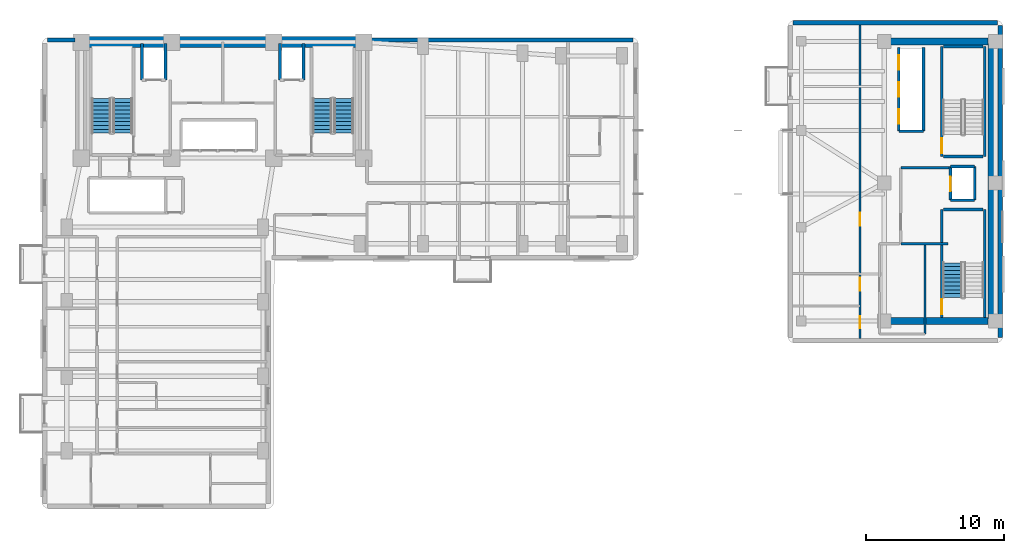
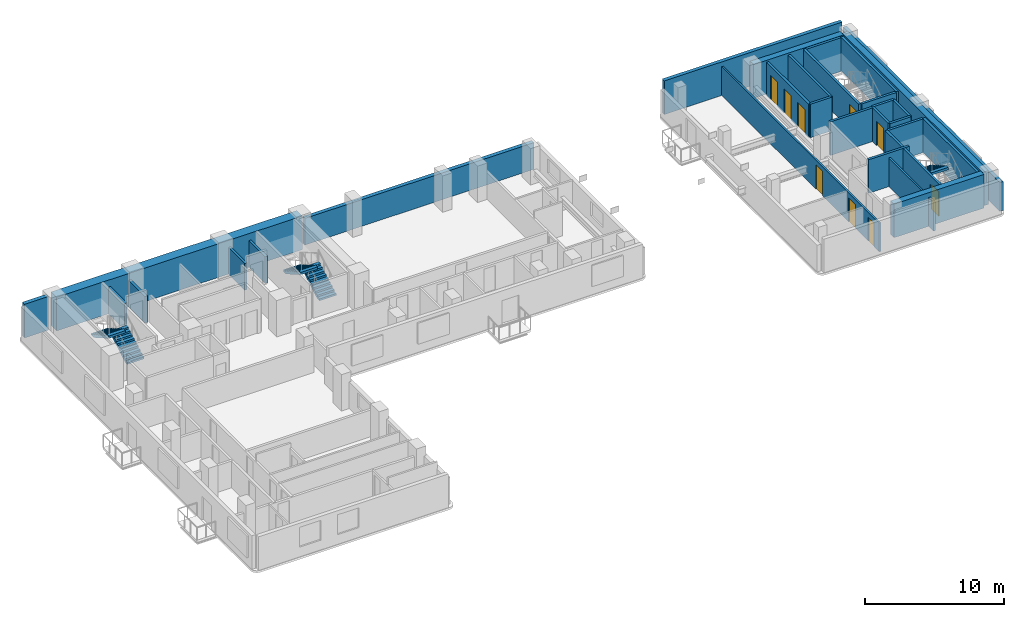
# One storey, part 7 of 11: 30 walls, 9 doors, 5 stair flights, 9 openings, 3 elements without a shape of their own.
"""IFC4 building model written with IfcOpenShell, lengths in metres."""

from ifc_helpers import new_model, si_unit, direction, frame, frame_2d, origin, place, context, subcontext, project, spatial, polyline, rectangle, outline, extrude, material, layer, layer_set, type_object, element, fill, aggregate, save


model = new_model("IFC4")

# Units and contexts
model_context = context("Model", 3, precision=1e-05, world=origin(), true_north=direction((0.0, 1.0)))
body_context = subcontext(model_context, "Body", "Model", "MODEL_VIEW")
ifc_project = project(units=[si_unit("LENGTHUNIT", "METRE"), si_unit("AREAUNIT", "SQUARE_METRE"), si_unit("VOLUMEUNIT", "CUBIC_METRE"), si_unit("PLANEANGLEUNIT", "RADIAN"), si_unit("MASSUNIT", "GRAM", prefix="KILO")], contexts=[model_context])

# Site, building, storey
site_placement = place(None, origin())
site = spatial("IfcSite", under=ifc_project, at=site_placement, CompositionType="ELEMENT")
building_placement = place(site_placement, origin())
building = spatial("IfcBuilding", under=site, at=building_placement, Name="Kuzgunbayir Cultural Tower", CompositionType="ELEMENT")
storey_placement = place(building_placement, frame((0.0, 0.0, 99.39990234375)))
storey = spatial("IfcBuildingStorey", under=building, at=storey_placement, Name="L28", CompositionType="ELEMENT", Elevation=99.39990234375)

# Walls
ifc_material_1 = material(Name="Concrete C60/75", Category="concrete")
ifc_layer_1 = layer(ifc_material_1, 0.800048828125)
ifc_layer_set_1 = layer_set([ifc_layer_1], Name="Concrete C60/75")
wall_type_1 = type_object("IfcWallType", Name="WAL-CORE-800", PredefinedType="SHEAR", material=ifc_layer_set_1)
wall_1_placement = place(storey_placement, frame((6.449951171875, 42.199951171875, 0.0), z_axis=(0.0, 0.0, 1.0), x_axis=(1.0, 0.0, 0.0)))
element("IfcWall", 1, at=wall_1_placement, inside=storey, type_object=wall_type_1, Name="L28 T1 Core North Shear Wall", PredefinedType="SHEAR", context=body_context, shape_type="SweptSolid", body=[
    extrude(rectangle(XDim=20.449951171875, YDim=0.800048828125, at=frame_2d((10.22509765625, 0.0))), origin(), (0.0, 0.0, 1.0), 2.960205078125),
])
ifc_material_2 = material(Name="Anatolian Cream Limestone", Category="masonry")
ifc_layer_2 = layer(ifc_material_2, 0.300048828125)
ifc_layer_set_2 = layer_set([ifc_layer_2], Name="Anatolian Cream Limestone")
wall_type_2 = type_object("IfcWallType", Name="WAL-EXT-STONE-300", PredefinedType="STANDARD", material=ifc_layer_set_2)
wall_2_placement = place(storey_placement, frame((73.0, 20.800048828125, 0.0), z_axis=(0.0, 0.0, 1.0), x_axis=(0.0, 1.0, 0.0)))
element("IfcWall", 2, at=wall_2_placement, inside=storey, type_object=wall_type_2, Name="L28 Companion East Limestone Wall", PredefinedType="STANDARD", context=body_context, shape_type="SweptSolid", body=[
    extrude(rectangle(XDim=22.599853515625, YDim=0.300048828125, at=frame_2d((11.2998046875, 0.0))), origin(), (0.0, 0.0, 1.0), 2.5400390625),
])
wall_3_placement = place(storey_placement, frame((72.800048828125, 43.60009765625, 0.0), z_axis=(0.0, 0.0, 1.0), x_axis=(-1.0, 0.0, 0.0)))
element("IfcWall", 3, at=wall_3_placement, inside=storey, type_object=wall_type_2, Name="L28 Companion North Limestone Wall", PredefinedType="STANDARD", context=body_context, shape_type="SweptSolid", body=[
    extrude(rectangle(XDim=14.800048828125, YDim=0.300048828125, at=frame_2d((7.39990234375, 0.0))), origin(), (0.0, 0.0, 1.0), 2.960205078125),
])
ifc_material_3 = material(Name="Travertine Buff Ashlar", Category="masonry")
ifc_layer_3 = layer(ifc_material_3, 0.320068359375)
ifc_layer_set_3 = layer_set([ifc_layer_3], Name="Travertine Buff Ashlar")
wall_type_3 = type_object("IfcWallType", Name="WAL-EXT-STONE-320", PredefinedType="STANDARD", material=ifc_layer_set_3)
wall_4_placement = place(storey_placement, frame((46.39990234375, 42.35009765625, 0.0), z_axis=(0.0, 0.0, 1.0), x_axis=(-1.0, 0.0, 0.0)))
element("IfcWall", 4, at=wall_4_placement, inside=storey, type_object=wall_type_3, Name="L28 North Wing B Limestone Wall", PredefinedType="STANDARD", context=body_context, shape_type="SweptSolid", body=[
    extrude(rectangle(XDim=19.0498046875, YDim=0.320068359375, at=frame_2d((9.52490234375, 0.0))), origin(), (0.0, 0.0, 1.0), 2.35009765625),
])
wall_5_placement = place(storey_placement, frame((6.0, 42.35009765625, 0.0), z_axis=(0.0, 0.0, 1.0), x_axis=(-1.0, 0.0, 0.0)))
element("IfcWall", 5, at=wall_5_placement, inside=storey, type_object=wall_type_3, Name="L28 Core North-West Spandrel Link", PredefinedType="STANDARD", context=body_context, shape_type="SweptSolid", body=[
    extrude(rectangle(XDim=2.0, YDim=0.320068359375, at=frame_2d((1.0, 0.0))), origin(), (0.0, 0.0, 1.0), 2.960205078125),
])
ifc_material_4 = material(Name="Acoustic Double-Stud Drywall", Category="gypsum")
ifc_layer_4 = layer(ifc_material_4, 0.14990234375)
ifc_layer_set_4 = layer_set([ifc_layer_4], Name="Acoustic Double-Stud Drywall")
wall_type_4 = type_object("IfcWallType", Name="WAL-PART-ACOUSTIC-150", PredefinedType="PARTITIONING", material=ifc_layer_set_4)
wall_6_placement = place(storey_placement, frame((67.550048828125, 21.050048828125, 0.0), z_axis=(0.0, 0.0, 1.0), x_axis=(0.0, 1.0, 0.0)))
element("IfcWall", 6, at=wall_6_placement, inside=storey, type_object=wall_type_4, Name="L28 Companion Archive East Wall", PredefinedType="PARTITIONING", context=body_context, shape_type="SweptSolid", body=[
    extrude(rectangle(XDim=6.469970703125, YDim=0.14990234375, at=frame_2d((3.23486328125, 0.0))), origin(), (0.0, 0.0, 1.0), 2.5400390625),
])

# Wall, openings, doors
wall_7_placement = place(storey_placement, frame((62.85009765625, 20.75, 0.0), z_axis=(0.0, 0.0, 1.0), x_axis=(0.0, 1.0, 0.0)))
wall_7 = element("IfcWall", 7, at=wall_7_placement, inside=storey, type_object=wall_type_4, Name="L28 Companion Corridor West Wall", PredefinedType="PARTITIONING", context=body_context, shape_type="SweptSolid", body=[
    extrude(rectangle(XDim=22.699951171875, YDim=0.14990234375, at=frame_2d((11.35009765625, 0.0))), origin(), (0.0, 0.0, 1.0), 2.5400390625),
])
opening_1_placement = place(wall_7_placement, frame((0.72998046875, 0.0, 0.0)))
opening_1 = element("IfcOpeningElement", 8, at=opening_1_placement, cuts=wall_7, Name="Opening DW-85", PredefinedType="OPENING", context=body_context, shape_type="SweptSolid", body=[
    extrude(rectangle(XDim=0.85009765625, YDim=2.10009765625, at=frame_2d((0.425048828125, 1.050048828125))), frame((0.0, 0.0849609375, 0.0), z_axis=(0.0, -1.0, 0.0), x_axis=(1.0, 0.0, 0.0)), (0.0, 0.0, 1.0), 0.169921875),
])
opening_2_placement = place(wall_7_placement, frame((3.429931640625, 0.0, 0.0)))
opening_2 = element("IfcOpeningElement", 9, at=opening_2_placement, cuts=wall_7, Name="Opening DW-95", PredefinedType="OPENING", context=body_context, shape_type="SweptSolid", body=[
    extrude(rectangle(XDim=0.949951171875, YDim=2.10009765625, at=frame_2d((0.47509765625, 1.050048828125))), frame((0.0, 0.0849609375, 0.0), z_axis=(0.0, -1.0, 0.0), x_axis=(1.0, 0.0, 0.0)), (0.0, 0.0, 1.0), 0.169921875),
])
opening_3_placement = place(wall_7_placement, frame((8.14990234375, 0.0, 0.0)))
opening_3 = element("IfcOpeningElement", 10, at=opening_3_placement, cuts=wall_7, Name="Opening DI-90", PredefinedType="OPENING", context=body_context, shape_type="SweptSolid", body=[
    extrude(rectangle(XDim=0.949951171875, YDim=2.14990234375, at=frame_2d((0.47509765625, 1.074951171875))), frame((0.0, 0.0849609375, 0.0), z_axis=(0.0, -1.0, 0.0), x_axis=(1.0, 0.0, 0.0)), (0.0, 0.0, 1.0), 0.169921875),
])
ifc_material_5 = material(Name="Veneered Oak Single Leaf", Category="wood")
door_type_1 = type_object("IfcDoorType", Name="DR-INT-90", OperationType="NOTDEFINED", PredefinedType="DOOR", material=ifc_material_5)
door_1_placement = place(opening_3_placement, origin())
door_1 = element("IfcDoor", 11, at=door_1_placement, inside=storey, type_object=door_type_1, Name="L28 Companion Culinary Tasting Pantry 1 Door", OperationType="SINGLE_SWING_LEFT", OverallHeight=2.14990234375, OverallWidth=0.949951171875, PredefinedType="DOOR", context=body_context, shape_type="SweptSolid", body=[
    extrude(rectangle(XDim=0.949951171875, YDim=2.14990234375, at=frame_2d((0.47509765625, 1.074951171875))), frame((0.0, 0.02490234375, 0.0), z_axis=(0.0, -1.0, 0.0), x_axis=(1.0, 0.0, 0.0)), (0.0, 0.0, 1.0), 0.050048828125),
])
fill(opening_3, door_1)
ifc_material_6 = material(Name="Laminate Moisture-Resistant Leaf", Category="wood")
door_type_2 = type_object("IfcDoorType", Name="DR-WET-85", OperationType="NOTDEFINED", PredefinedType="DOOR", material=ifc_material_6)
door_2_placement = place(opening_1_placement, origin())
door_2 = element("IfcDoor", 12, at=door_2_placement, inside=storey, type_object=door_type_2, Name="L28 Companion WC Door", OperationType="SINGLE_SWING_LEFT", OverallHeight=2.10009765625, OverallWidth=0.85009765625, PredefinedType="DOOR", context=body_context, shape_type="SweptSolid", body=[
    extrude(rectangle(XDim=0.85009765625, YDim=2.10009765625, at=frame_2d((0.425048828125, 1.050048828125))), frame((0.0, 0.02490234375, 0.0), z_axis=(0.0, -1.0, 0.0), x_axis=(1.0, 0.0, 0.0)), (0.0, 0.0, 1.0), 0.050048828125),
])
fill(opening_1, door_2)
door_type_3 = type_object("IfcDoorType", Name="DR-WET-95", OperationType="NOTDEFINED", PredefinedType="DOOR", material=ifc_material_6)
door_3_placement = place(opening_2_placement, origin())
door_3 = element("IfcDoor", 13, at=door_3_placement, inside=storey, type_object=door_type_3, Name="L28 Companion Accessible WC Door", OperationType="SINGLE_SWING_RIGHT", OverallHeight=2.10009765625, OverallWidth=0.949951171875, PredefinedType="DOOR", context=body_context, shape_type="SweptSolid", body=[
    extrude(rectangle(XDim=0.949951171875, YDim=2.10009765625, at=frame_2d((0.47509765625, 1.050048828125))), frame((0.0, 0.02490234375, 0.0), z_axis=(0.0, -1.0, 0.0), x_axis=(1.0, 0.0, 0.0)), (0.0, 0.0, 1.0), 0.050048828125),
])
fill(opening_2, door_3)

# Walls
ifc_material_7 = material(Name="Aerated Concrete Blockwork", Category="masonry")
ifc_layer_5 = layer(ifc_material_7, 0.199951171875)
ifc_layer_set_5 = layer_set([ifc_layer_5], Name="Aerated Concrete Blockwork")
wall_type_5 = type_object("IfcWallType", Name="WAL-PART-FIRE-200", PredefinedType="PARTITIONING", material=ifc_layer_set_5)
wall_8_placement = place(storey_placement, frame((65.800048828125, 33.10009765625, 0.0), z_axis=(0.0, 0.0, 1.0), x_axis=(1.0, 0.0, 0.0)))
element("IfcWall", 14, at=wall_8_placement, inside=storey, type_object=wall_type_5, Name="L28 FFL-3 Lobby North Fire Wall", PredefinedType="PARTITIONING", context=body_context, shape_type="SweptSolid", body=[
    extrude(rectangle(XDim=3.599853515625, YDim=0.199951171875, at=frame_2d((1.7998046875, 0.0))), origin(), (0.0, 0.0, 1.0), 2.960205078125),
])
wall_9_placement = place(storey_placement, frame((65.800048828125, 27.60009765625, 0.0), z_axis=(0.0, 0.0, 1.0), x_axis=(1.0, 0.0, 0.0)))
element("IfcWall", 15, at=wall_9_placement, inside=storey, type_object=wall_type_5, Name="L28 FFL-3 Lobby South Fire Wall", PredefinedType="PARTITIONING", context=body_context, shape_type="SweptSolid", body=[
    extrude(rectangle(XDim=3.39990234375, YDim=0.199951171875, at=frame_2d((1.699951171875, 0.0))), origin(), (0.0, 0.0, 1.0), 2.960205078125),
])
ifc_material_8 = material(Name="Concrete C40/50", Category="concrete")
ifc_layer_6 = layer(ifc_material_8, 0.199951171875)
ifc_layer_set_6 = layer_set([ifc_layer_6], Name="Concrete C40/50")
wall_type_6 = type_object("IfcWallType", Name="WAL-SHAFT-200", PredefinedType="MOVABLE", material=ifc_layer_set_6)
for number, where, z_axis, x_axis, name in (
    (16, (10.85009765625, 39.449951171875, 0.0), (0.0, 0.0, 1.0), (0.0, 1.0, 0.0), "L28 FFL-1 Shaft West Wall"),
    (17, (12.550048828125, 39.449951171875, 0.0), (0.0, 0.0, 1.0), (0.0, 1.0, 0.0), "L28 FFL-1 Shaft East Wall"),
    (18, (20.85009765625, 39.449951171875, 0.0), (0.0, 0.0, 1.0), (0.0, 1.0, 0.0), "L28 FFL-2 Shaft West Wall"),
    (19, (22.550048828125, 39.449951171875, 0.0), (0.0, 0.0, 1.0), (0.0, 1.0, 0.0), "L28 FFL-2 Shaft East Wall"),
):
    element("IfcWall", number, at=place(storey_placement, frame(where, z_axis=z_axis, x_axis=x_axis)), inside=storey, type_object=wall_type_6, Name=name, PredefinedType="MOVABLE", context=body_context, shape_type="SweptSolid", body=[
        extrude(rectangle(XDim=2.650146484375, YDim=0.199951171875, at=frame_2d((1.3251953125, 0.0))), origin(), (0.0, 0.0, 1.0), 2.35009765625),
    ])

# Wall, openings, doors
wall_10_placement = place(storey_placement, frame((65.64990234375, 35.75, 0.0), z_axis=(0.0, 0.0, 1.0), x_axis=(0.0, 1.0, 0.0)))
wall_10 = element("IfcWall", 20, at=wall_10_placement, inside=storey, type_object=wall_type_6, Name="L28 Companion Lift Front Wall", PredefinedType="MOVABLE", context=body_context, shape_type="SweptSolid", body=[
    extrude(rectangle(XDim=6.050048828125, YDim=0.199951171875, at=frame_2d((3.02490234375, 0.0))), origin(), (0.0, 0.0, 1.0), 2.960205078125),
])
opening_4_placement = place(wall_10_placement, frame((0.52001953125, 0.0, 0.0)))
opening_4 = element("IfcOpeningElement", 21, at=opening_4_placement, cuts=wall_10, Name="Opening LD", PredefinedType="OPENING", context=body_context, shape_type="SweptSolid", body=[
    extrude(rectangle(XDim=1.050048828125, YDim=2.14990234375, at=frame_2d((0.52490234375, 1.074951171875))), frame((0.0, 0.10986328125, 0.0), z_axis=(0.0, -1.0, 0.0), x_axis=(1.0, 0.0, 0.0)), (0.0, 0.0, 1.0), 0.219970703125),
])
opening_5_placement = place(wall_10_placement, frame((2.47998046875, 0.0, 0.0)))
opening_5 = element("IfcOpeningElement", 22, at=opening_5_placement, cuts=wall_10, Name="Opening LD", PredefinedType="OPENING", context=body_context, shape_type="SweptSolid", body=[
    extrude(rectangle(XDim=1.050048828125, YDim=2.14990234375, at=frame_2d((0.52490234375, 1.074951171875))), frame((0.0, 0.10986328125, 0.0), z_axis=(0.0, -1.0, 0.0), x_axis=(1.0, 0.0, 0.0)), (0.0, 0.0, 1.0), 0.219970703125),
])
opening_6_placement = place(wall_10_placement, frame((4.429931640625, 0.0, 0.0)))
opening_6 = element("IfcOpeningElement", 23, at=opening_6_placement, cuts=wall_10, Name="Opening LD", PredefinedType="OPENING", context=body_context, shape_type="SweptSolid", body=[
    extrude(rectangle(XDim=1.050048828125, YDim=2.14990234375, at=frame_2d((0.52490234375, 1.074951171875))), frame((0.0, 0.10986328125, 0.0), z_axis=(0.0, -1.0, 0.0), x_axis=(1.0, 0.0, 0.0)), (0.0, 0.0, 1.0), 0.219970703125),
])
ifc_material_9 = material(Name="Brushed Stainless Steel", Category="steel")
door_type_4 = type_object("IfcDoorType", Name="DR-LIFT-LANDING", OperationType="SLIDING_TO_LEFT", PredefinedType="DOOR", material=ifc_material_9)
door_4_placement = place(opening_4_placement, origin())
door_4 = element("IfcDoor", 24, at=door_4_placement, inside=storey, type_object=door_type_4, Name="L28 Lift PC-1 Landing Door", OperationType="SLIDING_TO_LEFT", OverallHeight=2.14990234375, OverallWidth=1.050048828125, PredefinedType="DOOR", context=body_context, shape_type="SweptSolid", body=[
    extrude(rectangle(XDim=1.050048828125, YDim=2.14990234375, at=frame_2d((0.52490234375, 1.074951171875))), frame((0.0, 0.02490234375, 0.0), z_axis=(0.0, -1.0, 0.0), x_axis=(1.0, 0.0, 0.0)), (0.0, 0.0, 1.0), 0.050048828125),
])
fill(opening_4, door_4)
door_5_placement = place(opening_5_placement, origin())
door_5 = element("IfcDoor", 25, at=door_5_placement, inside=storey, type_object=door_type_4, Name="L28 Lift PC-2 Landing Door", OperationType="SLIDING_TO_LEFT", OverallHeight=2.14990234375, OverallWidth=1.050048828125, PredefinedType="DOOR", context=body_context, shape_type="SweptSolid", body=[
    extrude(rectangle(XDim=1.050048828125, YDim=2.14990234375, at=frame_2d((0.52490234375, 1.074951171875))), frame((0.0, 0.02490234375, 0.0), z_axis=(0.0, -1.0, 0.0), x_axis=(1.0, 0.0, 0.0)), (0.0, 0.0, 1.0), 0.050048828125),
])
fill(opening_5, door_5)
door_6_placement = place(opening_6_placement, origin())
door_6 = element("IfcDoor", 26, at=door_6_placement, inside=storey, type_object=door_type_4, Name="L28 Lift PC-3 Landing Door", OperationType="SLIDING_TO_LEFT", OverallHeight=2.14990234375, OverallWidth=1.050048828125, PredefinedType="DOOR", context=body_context, shape_type="SweptSolid", body=[
    extrude(rectangle(XDim=1.050048828125, YDim=2.14990234375, at=frame_2d((0.52490234375, 1.074951171875))), frame((0.0, 0.02490234375, 0.0), z_axis=(0.0, -1.0, 0.0), x_axis=(1.0, 0.0, 0.0)), (0.0, 0.0, 1.0), 0.050048828125),
])
fill(opening_6, door_6)

# Walls
wall_11_placement = place(storey_placement, frame((67.449951171875, 35.75, 0.0), z_axis=(0.0, 0.0, 1.0), x_axis=(0.0, 1.0, 0.0)))
element("IfcWall", 27, at=wall_11_placement, inside=storey, type_object=wall_type_6, Name="L28 Companion Lift Shaft Back Wall", PredefinedType="MOVABLE", context=body_context, shape_type="SweptSolid", body=[
    extrude(rectangle(XDim=6.050048828125, YDim=0.199951171875, at=frame_2d((3.02490234375, 0.0))), origin(), (0.0, 0.0, 1.0), 2.960205078125),
])
wall_12_placement = place(storey_placement, frame((65.64990234375, 35.75, 0.0), z_axis=(0.0, 0.0, 1.0), x_axis=(1.0, 0.0, 0.0)))
element("IfcWall", 28, at=wall_12_placement, inside=storey, type_object=wall_type_6, Name="L28 Companion Lift Shaft South Wall", PredefinedType="MOVABLE", context=body_context, shape_type="SweptSolid", body=[
    extrude(rectangle(XDim=1.800048828125, YDim=0.199951171875, at=frame_2d((0.89990234375, 0.0))), origin(), (0.0, 0.0, 1.0), 2.960205078125),
])

# Wall, opening, door
wall_13_placement = place(storey_placement, frame((69.39990234375, 30.75, 0.0), z_axis=(0.0, 0.0, 1.0), x_axis=(0.0, 1.0, 0.0)))
wall_13 = element("IfcWall", 29, at=wall_13_placement, inside=storey, type_object=wall_type_6, Name="L28 FFL-3 Lift Front Wall", PredefinedType="MOVABLE", context=body_context, shape_type="SweptSolid", body=[
    extrude(rectangle(XDim=2.449951171875, YDim=0.199951171875, at=frame_2d((1.22509765625, 0.0))), origin(), (0.0, 0.0, 1.0), 2.960205078125),
])
opening_7_placement = place(wall_13_placement, frame((0.64990234375, 0.0, 0.0)))
opening_7 = element("IfcOpeningElement", 30, at=opening_7_placement, cuts=wall_13, Name="Opening LD", PredefinedType="OPENING", context=body_context, shape_type="SweptSolid", body=[
    extrude(rectangle(XDim=1.050048828125, YDim=2.14990234375, at=frame_2d((0.52490234375, 1.074951171875))), frame((0.0, 0.10986328125, 0.0), z_axis=(0.0, -1.0, 0.0), x_axis=(1.0, 0.0, 0.0)), (0.0, 0.0, 1.0), 0.219970703125),
])
door_7_placement = place(opening_7_placement, origin())
door_7 = element("IfcDoor", 31, at=door_7_placement, inside=storey, type_object=door_type_4, Name="L28 Lift FFL-3 Landing Door", OperationType="SLIDING_TO_LEFT", OverallHeight=2.14990234375, OverallWidth=1.050048828125, PredefinedType="DOOR", context=body_context, shape_type="SweptSolid", body=[
    extrude(rectangle(XDim=1.050048828125, YDim=2.14990234375, at=frame_2d((0.52490234375, 1.074951171875))), frame((0.0, 0.02490234375, 0.0), z_axis=(0.0, -1.0, 0.0), x_axis=(1.0, 0.0, 0.0)), (0.0, 0.0, 1.0), 0.050048828125),
])
fill(opening_7, door_7)

# Walls
wall_14_placement = place(storey_placement, frame((71.14990234375, 30.75, 0.0), z_axis=(0.0, 0.0, 1.0), x_axis=(0.0, 1.0, 0.0)))
element("IfcWall", 32, at=wall_14_placement, inside=storey, type_object=wall_type_6, Name="L28 FFL-3 Shaft Back Wall", PredefinedType="MOVABLE", context=body_context, shape_type="SweptSolid", body=[
    extrude(rectangle(XDim=2.449951171875, YDim=0.199951171875, at=frame_2d((1.22509765625, 0.0))), origin(), (0.0, 0.0, 1.0), 2.960205078125),
])
for number, where, z_axis, x_axis, name in (
    (33, (69.39990234375, 33.199951171875, 0.0), (0.0, 0.0, 1.0), (1.0, 0.0, 0.0), "L28 FFL-3 Shaft North Wall"),
    (34, (69.39990234375, 30.75, 0.0), (0.0, 0.0, 1.0), (1.0, 0.0, 0.0), "L28 FFL-3 Shaft South Wall"),
):
    element("IfcWall", number, at=place(storey_placement, frame(where, z_axis=z_axis, x_axis=x_axis)), inside=storey, type_object=wall_type_6, Name=name, PredefinedType="MOVABLE", context=body_context, shape_type="SweptSolid", body=[
        extrude(rectangle(XDim=1.75, YDim=0.199951171875, at=frame_2d((0.875, 0.0))), origin(), (0.0, 0.0, 1.0), 2.960205078125),
    ])

# Wall, opening, door
ifc_layer_7 = layer(ifc_material_8, 0.199951171875)
ifc_layer_set_7 = layer_set([ifc_layer_7], Name="Concrete C40/50")
wall_type_7 = type_object("IfcWallType", Name="WAL-STAIR-RC-200", PredefinedType="SHEAR", material=ifc_layer_set_7)
wall_15_placement = place(storey_placement, frame((68.760009765625, 22.260009765625, 0.0), z_axis=(0.0, 0.0, 1.0), x_axis=(0.0, 1.0, 0.0)))
wall_15 = element("IfcWall", 35, at=wall_15_placement, inside=storey, type_object=wall_type_7, Name="L28 Stair ST-3 West Structural Wall", PredefinedType="SHEAR", context=body_context, shape_type="SweptSolid", body=[
    extrude(rectangle(XDim=7.820068359375, YDim=0.199951171875, at=frame_2d((3.91015625, 0.0))), origin(), (0.0, 0.0, 1.0), 2.960205078125),
])
opening_8_placement = place(wall_15_placement, frame((0.219970703125, 0.0, 0.0)))
opening_8 = element("IfcOpeningElement", 36, at=opening_8_placement, cuts=wall_15, Name="Opening DR-STAIR-90", PredefinedType="OPENING", context=body_context, shape_type="SweptSolid", body=[
    extrude(rectangle(XDim=1.10009765625, YDim=2.14990234375, at=frame_2d((0.550048828125, 1.074951171875))), frame((0.0, 0.10986328125, 0.0), z_axis=(0.0, -1.0, 0.0), x_axis=(1.0, 0.0, 0.0)), (0.0, 0.0, 1.0), 0.219970703125),
])
ifc_material_10 = material(Name="Steel S355J2", Category="steel")
door_type_5 = type_object("IfcDoorType", Name="DR-STAIR-90", OperationType="NOTDEFINED", PredefinedType="DOOR", material=ifc_material_10)
door_8_placement = place(opening_8_placement, origin())
door_8 = element("IfcDoor", 37, at=door_8_placement, inside=storey, type_object=door_type_5, Name="L28 Stair ST-3 Fire Door", OperationType="SINGLE_SWING_RIGHT", OverallHeight=2.14990234375, OverallWidth=1.10009765625, PredefinedType="DOOR", context=body_context, shape_type="SweptSolid", body=[
    extrude(rectangle(XDim=1.10009765625, YDim=2.14990234375, at=frame_2d((0.550048828125, 1.074951171875))), frame((0.0, 0.02490234375, 0.0), z_axis=(0.0, -1.0, 0.0), x_axis=(1.0, 0.0, 0.0)), (0.0, 0.0, 1.0), 0.050048828125),
])
fill(opening_8, door_8)

# Walls
wall_16_placement = place(storey_placement, frame((71.8798828125, 22.260009765625, 0.0), z_axis=(0.0, 0.0, 1.0), x_axis=(0.0, 1.0, 0.0)))
element("IfcWall", 38, at=wall_16_placement, inside=storey, type_object=wall_type_7, Name="L28 Stair ST-3 East Structural Wall", PredefinedType="SHEAR", context=body_context, shape_type="SweptSolid", body=[
    extrude(rectangle(XDim=7.820068359375, YDim=0.199951171875, at=frame_2d((3.91015625, 0.0))), origin(), (0.0, 0.0, 1.0), 2.960205078125),
])
wall_17_placement = place(storey_placement, frame((68.8798828125, 30.080078125, 0.0), z_axis=(0.0, 0.0, 1.0), x_axis=(1.0, 0.0, 0.0)))
element("IfcWall", 39, at=wall_17_placement, inside=storey, type_object=wall_type_7, Name="L28 Stair ST-3 North Structural Wall", PredefinedType="SHEAR", context=body_context, shape_type="SweptSolid", body=[
    extrude(rectangle(XDim=2.880126953125, YDim=0.199951171875, at=frame_2d((1.43994140625, 0.0))), origin(), (0.0, 0.0, 1.0), 2.960205078125),
])

# Wall, opening, door
wall_18_placement = place(storey_placement, frame((68.760009765625, 33.919921875, 0.0), z_axis=(0.0, 0.0, 1.0), x_axis=(0.0, 1.0, 0.0)))
wall_18 = element("IfcWall", 40, at=wall_18_placement, inside=storey, type_object=wall_type_7, Name="L28 Stair ST-4 West Structural Wall", PredefinedType="SHEAR", context=body_context, shape_type="SweptSolid", body=[
    extrude(rectangle(XDim=7.9599609375, YDim=0.199951171875, at=frame_2d((3.97998046875, 0.0))), origin(), (0.0, 0.0, 1.0), 2.960205078125),
])
opening_9_placement = place(wall_18_placement, frame((0.219970703125, 0.0, 0.0)))
opening_9 = element("IfcOpeningElement", 41, at=opening_9_placement, cuts=wall_18, Name="Opening DR-STAIR-90", PredefinedType="OPENING", context=body_context, shape_type="SweptSolid", body=[
    extrude(rectangle(XDim=1.10009765625, YDim=2.14990234375, at=frame_2d((0.550048828125, 1.074951171875))), frame((0.0, 0.10986328125, 0.0), z_axis=(0.0, -1.0, 0.0), x_axis=(1.0, 0.0, 0.0)), (0.0, 0.0, 1.0), 0.219970703125),
])
door_9_placement = place(opening_9_placement, origin())
door_9 = element("IfcDoor", 42, at=door_9_placement, inside=storey, type_object=door_type_5, Name="L28 Stair ST-4 Fire Door", OperationType="SINGLE_SWING_LEFT", OverallHeight=2.14990234375, OverallWidth=1.10009765625, PredefinedType="DOOR", context=body_context, shape_type="SweptSolid", body=[
    extrude(rectangle(XDim=1.10009765625, YDim=2.14990234375, at=frame_2d((0.550048828125, 1.074951171875))), frame((0.0, 0.02490234375, 0.0), z_axis=(0.0, -1.0, 0.0), x_axis=(1.0, 0.0, 0.0)), (0.0, 0.0, 1.0), 0.050048828125),
])
fill(opening_9, door_9)

# Walls
wall_19_placement = place(storey_placement, frame((71.8798828125, 33.919921875, 0.0), z_axis=(0.0, 0.0, 1.0), x_axis=(0.0, 1.0, 0.0)))
element("IfcWall", 43, at=wall_19_placement, inside=storey, type_object=wall_type_7, Name="L28 Stair ST-4 East Structural Wall", PredefinedType="SHEAR", context=body_context, shape_type="SweptSolid", body=[
    extrude(rectangle(XDim=7.9599609375, YDim=0.199951171875, at=frame_2d((3.97998046875, 0.0))), origin(), (0.0, 0.0, 1.0), 2.960205078125),
])
for number, where, z_axis, x_axis, name in (
    (44, (68.8798828125, 41.8798828125, 0.0), (0.0, 0.0, 1.0), (1.0, 0.0, 0.0), "L28 Stair ST-4 North Structural Wall"),
    (45, (68.8798828125, 33.919921875, 0.0), (0.0, 0.0, 1.0), (1.0, 0.0, 0.0), "L28 Stair ST-4 South Structural Wall"),
):
    element("IfcWall", number, at=place(storey_placement, frame(where, z_axis=z_axis, x_axis=x_axis)), inside=storey, type_object=wall_type_7, Name=name, PredefinedType="SHEAR", context=body_context, shape_type="SweptSolid", body=[
        extrude(rectangle(XDim=2.880126953125, YDim=0.199951171875, at=frame_2d((1.43994140625, 0.0))), origin(), (0.0, 0.0, 1.0), 2.960205078125),
    ])
ifc_layer_8 = layer(ifc_material_1, 0.5)
ifc_layer_set_8 = layer_set([ifc_layer_8], Name="Concrete C60/75")
wall_type_8 = type_object("IfcWallType", Name="WAL-T2-CORE-500", PredefinedType="SHEAR", material=ifc_layer_set_8)
wall_20_placement = place(storey_placement, frame((72.35009765625, 22.0, 0.0), z_axis=(0.0, 0.0, 1.0), x_axis=(0.0, 1.0, 0.0)))
element("IfcWall", 46, at=wall_20_placement, inside=storey, type_object=wall_type_8, Name="L28 Companion Core East Shear Wall", PredefinedType="SHEAR", context=body_context, shape_type="SweptSolid", body=[
    extrude(rectangle(XDim=20.25, YDim=0.5, at=frame_2d((10.125, 0.0))), origin(), (0.0, 0.0, 1.0), 2.960205078125),
])
for number, where, z_axis, x_axis, name in (
    (47, (64.60009765625, 42.25, 0.0), (0.0, 0.0, 1.0), (1.0, 0.0, 0.0), "L28 Companion Core North Shear Wall"),
    (48, (64.60009765625, 22.0, 0.0), (0.0, 0.0, 1.0), (1.0, 0.0, 0.0), "L28 Companion Core South Shear Wall"),
):
    element("IfcWall", number, at=place(storey_placement, frame(where, z_axis=z_axis, x_axis=x_axis)), inside=storey, type_object=wall_type_8, Name=name, PredefinedType="SHEAR", context=body_context, shape_type="SweptSolid", body=[
        extrude(rectangle(XDim=7.5, YDim=0.5, at=frame_2d((3.75, 0.0))), origin(), (0.0, 0.0, 1.0), 2.960205078125),
    ])

# Stair, stair flights
stair_type = type_object("IfcStairType", Name="STR-EXIT-CORE", PredefinedType="HALF_TURN_STAIR", material=ifc_material_8)
stair_1_placement = place(storey_placement, origin())
stair_1 = element("IfcStair", 49, at=stair_1_placement, inside=storey, type_object=stair_type, Name="L28 ST-1", PredefinedType="HALF_TURN_STAIR")
stair_flight_type = type_object("IfcStairFlightType", Name="STRF-RC-140", PredefinedType="STRAIGHT", material=ifc_material_8)
stair_flight_1_placement = place(storey_placement, frame((9.4599609375, 35.60009765625, 0.0), z_axis=(0.0, 0.0, 1.0), x_axis=(0.0, 1.0, 0.0)))
stair_flight_1 = element("IfcStairFlight", 50, at=stair_flight_1_placement, type_object=stair_flight_type, Name="ST-1 flight 1", NumberOfRisers=10, NumberOfTreads=9, PredefinedType="STRAIGHT", RiserHeight=0.16, TreadLength=0.28, context=body_context, shape_type="SweptSolid", body=[
    extrude(outline(polyline([(0.0, 0.0), (0.0, 0.159912109375), (0.280029296875, 0.159912109375), (0.280029296875, 0.320068359375), (0.56005859375, 0.320068359375), (0.56005859375, 0.47998046875), (0.840087890625, 0.47998046875), (0.840087890625, 0.639892578125), (1.1201171875, 0.639892578125), (1.1201171875, 0.800048828125), (1.39990234375, 0.800048828125), (1.39990234375, 0.9599609375), (1.679931640625, 0.9599609375), (1.679931640625, 1.1201171875), (1.9599609375, 1.1201171875), (1.9599609375, 1.280029296875), (2.239990234375, 1.280029296875), (2.239990234375, 1.43994140625), (2.52001953125, 1.43994140625), (2.52001953125, 1.60009765625), (2.52001953125, 1.232666015625), (0.362548828125, 0.0), (0.0, 0.0)])), frame((0.0, 0.699951171875, 0.0), z_axis=(0.0, -1.0, 0.0), x_axis=(1.0, 0.0, 0.0)), (0.0, 0.0, 1.0), 1.39990234375),
])
stair_flight_2_placement = place(storey_placement, frame((7.89990234375, 38.1201171875, 1.60009765625), z_axis=(0.0, 0.0, 1.0), x_axis=(0.0, -1.0, 0.0)))
stair_flight_2 = element("IfcStairFlight", 51, at=stair_flight_2_placement, type_object=stair_flight_type, Name="ST-1 flight 2", NumberOfRisers=10, NumberOfTreads=9, PredefinedType="STRAIGHT", RiserHeight=0.16, TreadLength=0.28, context=body_context, shape_type="SweptSolid", body=[
    extrude(outline(polyline([(0.0, 0.0), (0.0, 0.159912109375), (0.280029296875, 0.159912109375), (0.280029296875, 0.320068359375), (0.56005859375, 0.320068359375), (0.56005859375, 0.47998046875), (0.840087890625, 0.47998046875), (0.840087890625, 0.639892578125), (1.1201171875, 0.639892578125), (1.1201171875, 0.800048828125), (1.39990234375, 0.800048828125), (1.39990234375, 0.9599609375), (1.679931640625, 0.9599609375), (1.679931640625, 1.1201171875), (1.9599609375, 1.1201171875), (1.9599609375, 1.280029296875), (2.239990234375, 1.280029296875), (2.239990234375, 1.43994140625), (2.52001953125, 1.43994140625), (2.52001953125, 1.60009765625), (2.52001953125, 1.232666015625), (0.362548828125, 0.0), (0.0, 0.0)])), frame((0.0, 0.699951171875, 0.0), z_axis=(0.0, -1.0, 0.0), x_axis=(1.0, 0.0, 0.0)), (0.0, 0.0, 1.0), 1.39990234375),
])
aggregate(stair_1, [stair_flight_1, stair_flight_2])

stair_2_placement = place(storey_placement, origin())
stair_2 = element("IfcStair", 52, at=stair_2_placement, inside=storey, type_object=stair_type, Name="L28 ST-2", PredefinedType="HALF_TURN_STAIR")
stair_flight_3_placement = place(storey_placement, frame((25.4599609375, 35.60009765625, 0.0), z_axis=(0.0, 0.0, 1.0), x_axis=(0.0, 1.0, 0.0)))
stair_flight_3 = element("IfcStairFlight", 53, at=stair_flight_3_placement, type_object=stair_flight_type, Name="ST-2 flight 1", NumberOfRisers=10, NumberOfTreads=9, PredefinedType="STRAIGHT", RiserHeight=0.16, TreadLength=0.28, context=body_context, shape_type="SweptSolid", body=[
    extrude(outline(polyline([(0.0, 0.0), (0.0, 0.159912109375), (0.280029296875, 0.159912109375), (0.280029296875, 0.320068359375), (0.56005859375, 0.320068359375), (0.56005859375, 0.47998046875), (0.840087890625, 0.47998046875), (0.840087890625, 0.639892578125), (1.1201171875, 0.639892578125), (1.1201171875, 0.800048828125), (1.39990234375, 0.800048828125), (1.39990234375, 0.9599609375), (1.679931640625, 0.9599609375), (1.679931640625, 1.1201171875), (1.9599609375, 1.1201171875), (1.9599609375, 1.280029296875), (2.239990234375, 1.280029296875), (2.239990234375, 1.43994140625), (2.52001953125, 1.43994140625), (2.52001953125, 1.60009765625), (2.52001953125, 1.232666015625), (0.362548828125, 0.0), (0.0, 0.0)])), frame((0.0, 0.699951171875, 0.0), z_axis=(0.0, -1.0, 0.0), x_axis=(1.0, 0.0, 0.0)), (0.0, 0.0, 1.0), 1.39990234375),
])
stair_flight_4_placement = place(storey_placement, frame((23.89990234375, 38.1201171875, 1.60009765625), z_axis=(0.0, 0.0, 1.0), x_axis=(0.0, -1.0, 0.0)))
stair_flight_4 = element("IfcStairFlight", 54, at=stair_flight_4_placement, type_object=stair_flight_type, Name="ST-2 flight 2", NumberOfRisers=10, NumberOfTreads=9, PredefinedType="STRAIGHT", RiserHeight=0.16, TreadLength=0.28, context=body_context, shape_type="SweptSolid", body=[
    extrude(outline(polyline([(0.0, 0.0), (0.0, 0.159912109375), (0.280029296875, 0.159912109375), (0.280029296875, 0.320068359375), (0.56005859375, 0.320068359375), (0.56005859375, 0.47998046875), (0.840087890625, 0.47998046875), (0.840087890625, 0.639892578125), (1.1201171875, 0.639892578125), (1.1201171875, 0.800048828125), (1.39990234375, 0.800048828125), (1.39990234375, 0.9599609375), (1.679931640625, 0.9599609375), (1.679931640625, 1.1201171875), (1.9599609375, 1.1201171875), (1.9599609375, 1.280029296875), (2.239990234375, 1.280029296875), (2.239990234375, 1.43994140625), (2.52001953125, 1.43994140625), (2.52001953125, 1.60009765625), (2.52001953125, 1.232666015625), (0.362548828125, 0.0), (0.0, 0.0)])), frame((0.0, 0.699951171875, 0.0), z_axis=(0.0, -1.0, 0.0), x_axis=(1.0, 0.0, 0.0)), (0.0, 0.0, 1.0), 1.39990234375),
])
aggregate(stair_2, [stair_flight_3, stair_flight_4])

# Stair, stair flight
stair_3_placement = place(storey_placement, origin())
stair_3 = element("IfcStair", 55, at=stair_3_placement, inside=storey, type_object=stair_type, Name="L28 ST-3", PredefinedType="HALF_TURN_STAIR")
stair_flight_5_placement = place(storey_placement, frame((69.5400390625, 26.219970703125, 1.60009765625), z_axis=(0.0, 0.0, 1.0), x_axis=(0.0, -1.0, 0.0)))
stair_flight_5 = element("IfcStairFlight", 56, at=stair_flight_5_placement, type_object=stair_flight_type, Name="ST-3 flight 2", NumberOfRisers=10, NumberOfTreads=9, PredefinedType="STRAIGHT", RiserHeight=0.16, TreadLength=0.28, context=body_context, shape_type="SweptSolid", body=[
    extrude(outline(polyline([(0.0, 0.0), (0.0, 0.159912109375), (0.280029296875, 0.159912109375), (0.280029296875, 0.320068359375), (0.56005859375, 0.320068359375), (0.56005859375, 0.47998046875), (0.840087890625, 0.47998046875), (0.840087890625, 0.639892578125), (1.1201171875, 0.639892578125), (1.1201171875, 0.800048828125), (1.39990234375, 0.800048828125), (1.39990234375, 0.9599609375), (1.679931640625, 0.9599609375), (1.679931640625, 1.1201171875), (1.9599609375, 1.1201171875), (1.9599609375, 1.280029296875), (2.239990234375, 1.280029296875), (2.239990234375, 1.43994140625), (2.52001953125, 1.43994140625), (2.52001953125, 1.60009765625), (2.52001953125, 1.232666015625), (0.362548828125, 0.0), (0.0, 0.0)])), frame((0.0, 0.699951171875, 0.0), z_axis=(0.0, -1.0, 0.0), x_axis=(1.0, 0.0, 0.0)), (0.0, 0.0, 1.0), 1.39990234375),
])
aggregate(stair_3, [stair_flight_5])

save(model, "model.ifc")
